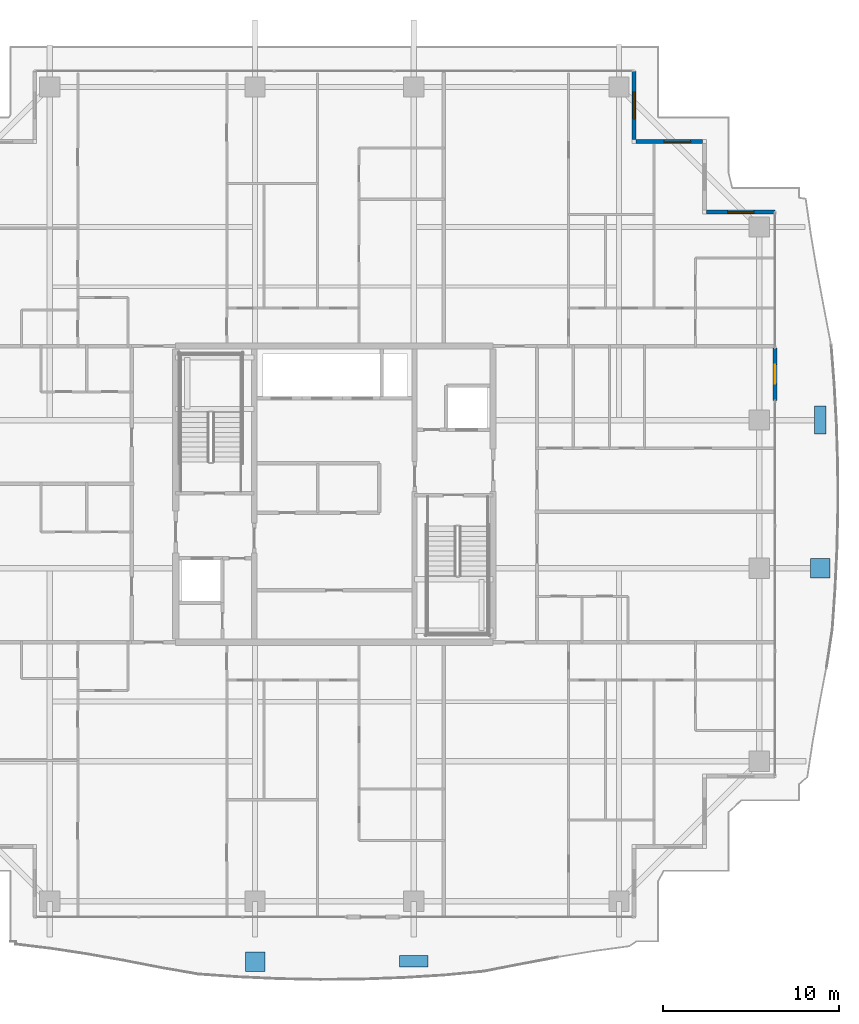
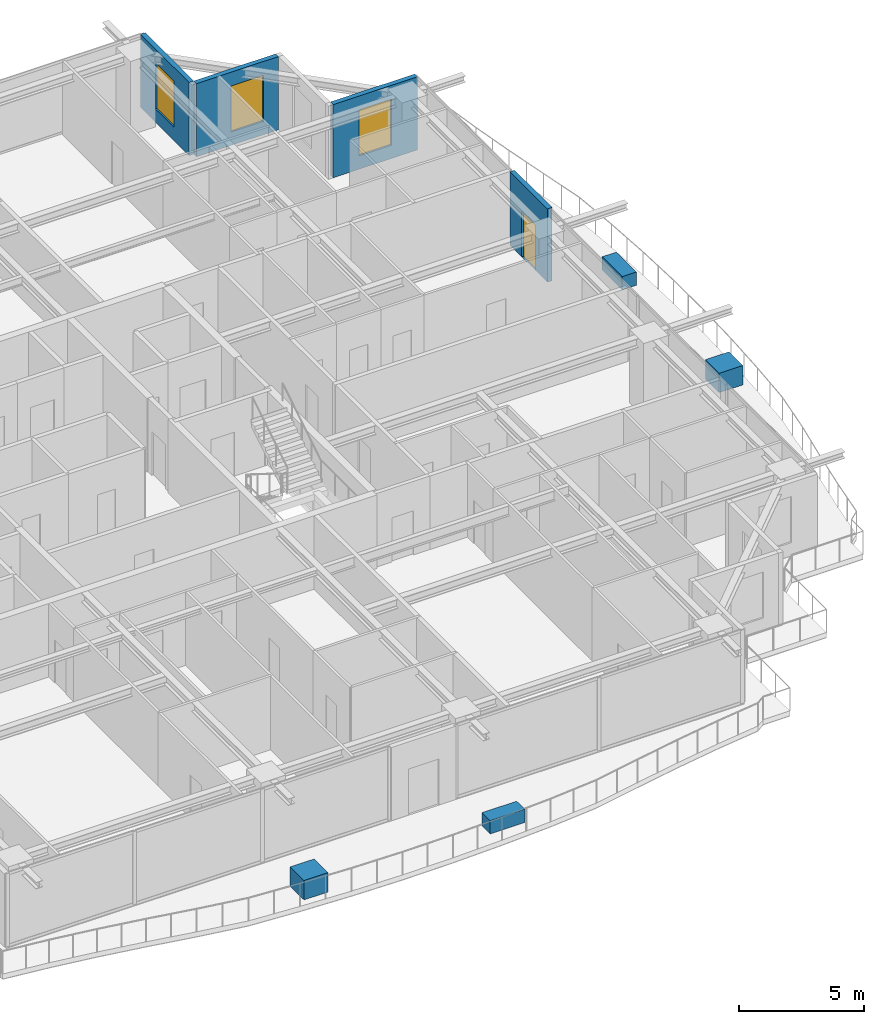
# One storey, part 31 of 38: 4 discrete accessories, 4 walls, 3 windows, 1 door, 4 openings.
"""IFC4 building model written with IfcOpenShell, lengths in metres."""

from ifc_helpers import new_model, si_unit, direction, frame, frame_2d, origin, origin_2d, place, context, subcontext, project, spatial, rectangle, extrude, source, transform, mapped, material, layer, layer_set, type_object, element, fill, save


model = new_model("IFC4")

# Units and contexts
model_context = context("Model", 3, precision=1e-05, world=origin(), true_north=direction((0.0, 1.0)))
body_context = subcontext(model_context, "Body", "Model", "MODEL_VIEW")
ifc_project = project(units=[si_unit("LENGTHUNIT", "METRE"), si_unit("AREAUNIT", "SQUARE_METRE"), si_unit("VOLUMEUNIT", "CUBIC_METRE"), si_unit("PLANEANGLEUNIT", "RADIAN"), si_unit("MASSUNIT", "GRAM", prefix="KILO")], contexts=[model_context])

# Site, building, storey
site_placement = place(None, origin())
site = spatial("IfcSite", under=ifc_project, at=site_placement, CompositionType="ELEMENT")
building_placement = place(site_placement, origin())
building = spatial("IfcBuilding", under=site, at=building_placement, Name="Serunith Strait Residences", CompositionType="ELEMENT")
storey_placement = place(building_placement, frame((0.0, 0.0, 245.10009765625)))
storey = spatial("IfcBuildingStorey", under=building, at=storey_placement, Name="L61", CompositionType="ELEMENT", Elevation=245.10009765625)

# Wall, opening, door
ifc_material_1 = material(Name="Pale-Champagne Aluminium Insulated Panel", Category="aluminium")
ifc_layer = layer(ifc_material_1, 0.219970703125, Name="Pale-Champagne Aluminium Insulated Panel")
ifc_layer_set = layer_set([ifc_layer], Name="Pale-Champagne Aluminium Insulated Panel")
wall_type = type_object("IfcWallType", Name="EW-ALUM-220", PredefinedType="ELEMENTEDWALL", material=ifc_layer_set)
wall_1_placement = place(storey_placement, frame((57.39990234375, 30.5, 0.0), z_axis=(0.0, 0.0, 1.0), x_axis=(0.0, 1.0, 0.0)))
wall_1 = element("IfcWall", 1, at=wall_1_placement, inside=storey, type_object=wall_type, Name="L61 E Facade Pier Wall", PredefinedType="ELEMENTEDWALL", context=body_context, shape_type="SweptSolid", body=[
    extrude(rectangle(XDim=3.0, YDim=0.219970703125, at=frame_2d((1.5, 0.0))), origin(), (0.0, 0.0, 1.0), 3.574951171875),
])
opening_1_placement = place(wall_1_placement, frame((0.949951171875, 0.0, 0.0)))
opening_1 = element("IfcOpeningElement", 2, at=opening_1_placement, cuts=wall_1, Name="Opening ED-03", PredefinedType="OPENING", context=body_context, shape_type="SweptSolid", body=[
    extrude(rectangle(XDim=1.10009765625, YDim=2.199951171875, at=frame_2d((0.550048828125, 1.10009765625))), frame((0.0, 0.1201171875, 0.0), z_axis=(0.0, -1.0, 0.0), x_axis=(1.0, 0.0, 0.0)), (0.0, 0.0, 1.0), 0.239990234375),
])
ifc_material_2 = material(Name="Thermally-Broken Aluminium Glazed Balcony Door", Category="aluminium")
door_type = type_object("IfcDoorType", Name="ED-BALC-1100", OperationType="NOTDEFINED", PredefinedType="DOOR", material=ifc_material_2)
shared_shape_1 = source(origin(), body_context, "Body", "SweptSolid", [
    extrude(rectangle(XDim=1.10009765625, YDim=2.199951171875, at=frame_2d((0.550048828125, 1.10009765625))), frame((0.0, 0.02490234375, 0.0), z_axis=(0.0, -1.0, 0.0), x_axis=(1.0, 0.0, 0.0)), (0.0, 0.0, 1.0), 0.050048828125),
])
door_placement = place(opening_1_placement, origin())
door = element("IfcDoor", 3, at=door_placement, inside=storey, type_object=door_type, Name="L61 E Vertical-Forest Balcony Door", OperationType="SINGLE_SWING_RIGHT", OverallHeight=2.199951171875, OverallWidth=1.10009765625, PredefinedType="DOOR", context=body_context, shape_type="MappedRepresentation", body=[
    mapped(shared_shape_1, transform((0.0, 0.0, 0.0), scale=1.0)),
])
fill(opening_1, door)

# Wall, opening, window
wall_2_placement = place(storey_placement, frame((57.39990234375, 41.199951171875, 0.0), z_axis=(0.0, 0.0, 1.0), x_axis=(-1.0, 0.0, 0.0)))
wall_2 = element("IfcWall", 4, at=wall_2_placement, inside=storey, type_object=wall_type, Name="L61 Girih Serrated Corner Wall 07", PredefinedType="ELEMENTEDWALL", context=body_context, shape_type="SweptSolid", body=[
    extrude(rectangle(XDim=3.889892578125, YDim=0.219970703125, at=frame_2d((1.94482421875, 0.0))), origin(), (0.0, 0.0, 1.0), 3.574951171875),
])
opening_2_placement = place(wall_2_placement, frame((1.195068359375, 0.0, 0.64990234375)))
opening_2 = element("IfcOpeningElement", 5, at=opening_2_placement, cuts=wall_2, Name="Opening W-05", PredefinedType="OPENING", context=body_context, shape_type="SweptSolid", body=[
    extrude(rectangle(XDim=1.5, YDim=2.25, at=frame_2d((0.75, 1.125))), frame((0.0, 0.1201171875, 0.0), z_axis=(0.0, -1.0, 0.0), x_axis=(1.0, 0.0, 0.0)), (0.0, 0.0, 1.0), 0.239990234375),
])
ifc_material_3 = material(Name="Ceramic-Fritted Operable Aluminium Window Glass", Category="aluminium")
window_type = type_object("IfcWindowType", Name="WIN-C5", PartitioningType="DOUBLE_PANEL_VERTICAL", PredefinedType="WINDOW", material=ifc_material_3)
shared_shape_2 = source(origin(), body_context, "Body", "SweptSolid", [
    extrude(rectangle(XDim=1.5, YDim=2.25, at=frame_2d((0.75, 1.125))), frame((0.0, 0.030029296875, 0.0), z_axis=(0.0, -1.0, 0.0), x_axis=(1.0, 0.0, 0.0)), (0.0, 0.0, 1.0), 0.06005859375),
])
window_1_placement = place(opening_2_placement, origin())
window_1 = element("IfcWindow", 6, at=window_1_placement, inside=storey, type_object=window_type, Name="L61 Corner Operable Fritted Window 07", OverallHeight=2.25, OverallWidth=1.5, PartitioningType="SINGLE_PANEL", PredefinedType="WINDOW", context=body_context, shape_type="MappedRepresentation", body=[
    mapped(shared_shape_2, transform((0.0, 0.0, 0.0), scale=1.0)),
])
fill(opening_2, window_1)

wall_3_placement = place(storey_placement, frame((53.2900390625, 45.199951171875, 0.0), z_axis=(0.0, 0.0, 1.0), x_axis=(-1.0, 0.0, 0.0)))
wall_3 = element("IfcWall", 7, at=wall_3_placement, inside=storey, type_object=wall_type, Name="L61 Girih Serrated Corner Wall 09", PredefinedType="ELEMENTEDWALL", context=body_context, shape_type="SweptSolid", body=[
    extrude(rectangle(XDim=3.780029296875, YDim=0.219970703125, at=frame_2d((1.89013671875, 0.0))), origin(), (0.0, 0.0, 1.0), 3.574951171875),
])
opening_3_placement = place(wall_3_placement, frame((0.68408203125, 0.0, 0.64990234375)))
opening_3 = element("IfcOpeningElement", 8, at=opening_3_placement, cuts=wall_3, Name="Opening W-05", PredefinedType="OPENING", context=body_context, shape_type="SweptSolid", body=[
    extrude(rectangle(XDim=1.5, YDim=2.25, at=frame_2d((0.75, 1.125))), frame((0.0, 0.1201171875, 0.0), z_axis=(0.0, -1.0, 0.0), x_axis=(1.0, 0.0, 0.0)), (0.0, 0.0, 1.0), 0.239990234375),
])
window_2_placement = place(opening_3_placement, origin())
window_2 = element("IfcWindow", 9, at=window_2_placement, inside=storey, type_object=window_type, Name="L61 Corner Operable Fritted Window 09", OverallHeight=2.25, OverallWidth=1.5, PartitioningType="SINGLE_PANEL", PredefinedType="WINDOW", context=body_context, shape_type="MappedRepresentation", body=[
    mapped(shared_shape_2, transform((0.0, 0.0, 0.0), scale=1.0)),
])
fill(opening_3, window_2)

wall_4_placement = place(storey_placement, frame((49.39990234375, 45.31005859375, 0.0), z_axis=(0.0, 0.0, 1.0), x_axis=(0.0, 1.0, 0.0)))
wall_4 = element("IfcWall", 10, at=wall_4_placement, inside=storey, type_object=wall_type, Name="L61 Girih Serrated Corner Wall 10", PredefinedType="ELEMENTEDWALL", context=body_context, shape_type="SweptSolid", body=[
    extrude(rectangle(XDim=3.889892578125, YDim=0.219970703125, at=frame_2d((1.94482421875, 0.0))), origin(), (0.0, 0.0, 1.0), 3.574951171875),
])
opening_4_placement = place(wall_4_placement, frame((1.195068359375, 0.0, 0.64990234375)))
opening_4 = element("IfcOpeningElement", 11, at=opening_4_placement, cuts=wall_4, Name="Opening W-05", PredefinedType="OPENING", context=body_context, shape_type="SweptSolid", body=[
    extrude(rectangle(XDim=1.5, YDim=2.25, at=frame_2d((0.75, 1.125))), frame((0.0, 0.1201171875, 0.0), z_axis=(0.0, -1.0, 0.0), x_axis=(1.0, 0.0, 0.0)), (0.0, 0.0, 1.0), 0.239990234375),
])
window_3_placement = place(opening_4_placement, origin())
window_3 = element("IfcWindow", 12, at=window_3_placement, inside=storey, type_object=window_type, Name="L61 Corner Operable Fritted Window 10", OverallHeight=2.25, OverallWidth=1.5, PartitioningType="SINGLE_PANEL", PredefinedType="WINDOW", context=body_context, shape_type="MappedRepresentation", body=[
    mapped(shared_shape_2, transform((0.0, 0.0, 0.0), scale=1.0)),
])
fill(opening_4, window_3)

# Discrete accessories
ifc_material_4 = material(Name="GFRC Root-Anchored Structural Planter")
discrete_accessory_type_1 = type_object("IfcDiscreteAccessoryType", Name="ACC-PLANTER-TREE", PredefinedType="USERDEFINED", material=ifc_material_4)
shared_shape_3 = source(origin(), body_context, "Body", "SweptSolid", [
    extrude(rectangle(XDim=1.10009765625, YDim=1.10009765625, at=origin_2d()), origin(), (0.0, 0.0, 1.0), 0.949951171875),
])
for number, where, z_axis, x_axis, name in (
    (13, (27.89990234375, -1.334716796875, -0.05029296875), (0.0, 0.0, 1.0), (1.0, 0.0, 0.0), "L61 Vertical-Forest Tree Planter 02"),
    (14, (59.968505859375, 21.0, -0.05029296875), (0.0, 0.0, 1.0), (0.0, 1.0, 0.0), "L61 Vertical-Forest Tree Planter 10"),
):
    element("IfcDiscreteAccessory", number, at=place(storey_placement, frame(where, z_axis=z_axis, x_axis=x_axis)), inside=storey, type_object=discrete_accessory_type_1, Name=name, ObjectType="PLANTER", PredefinedType="USERDEFINED", context=body_context, shape_type="MappedRepresentation", body=[
        mapped(shared_shape_3, transform((0.0, 0.0, 0.0), scale=1.0)),
    ])
ifc_material_5 = material(Name="GFRC Irrigated Shrub Trough Planter")
discrete_accessory_type_2 = type_object("IfcDiscreteAccessoryType", Name="ACC-PLANTER-SHRUB", PredefinedType="USERDEFINED", material=ifc_material_5)
shared_shape_4 = source(origin(), body_context, "Body", "SweptSolid", [
    extrude(rectangle(XDim=1.60009765625, YDim=0.64990234375, at=origin_2d()), origin(), (0.0, 0.0, 1.0), 0.64990234375),
])
for number, where, z_axis, x_axis, name in (
    (15, (36.89990234375, -1.297607421875, -0.050048828125), (0.0, 0.0, 1.0), (1.0, 0.0, 0.0), "L61 Vertical-Forest Shrub Planter 03"),
    (16, (59.976806640625, 29.39990234375, -0.050048828125), (0.0, 0.0, 1.0), (0.0, 1.0, 0.0), "L61 Vertical-Forest Shrub Planter 11"),
):
    element("IfcDiscreteAccessory", number, at=place(storey_placement, frame(where, z_axis=z_axis, x_axis=x_axis)), inside=storey, type_object=discrete_accessory_type_2, Name=name, ObjectType="PLANTER", PredefinedType="USERDEFINED", context=body_context, shape_type="MappedRepresentation", body=[
        mapped(shared_shape_4, transform((0.0, 0.0, 0.0), scale=1.0)),
    ])

save(model, "model.ifc")
